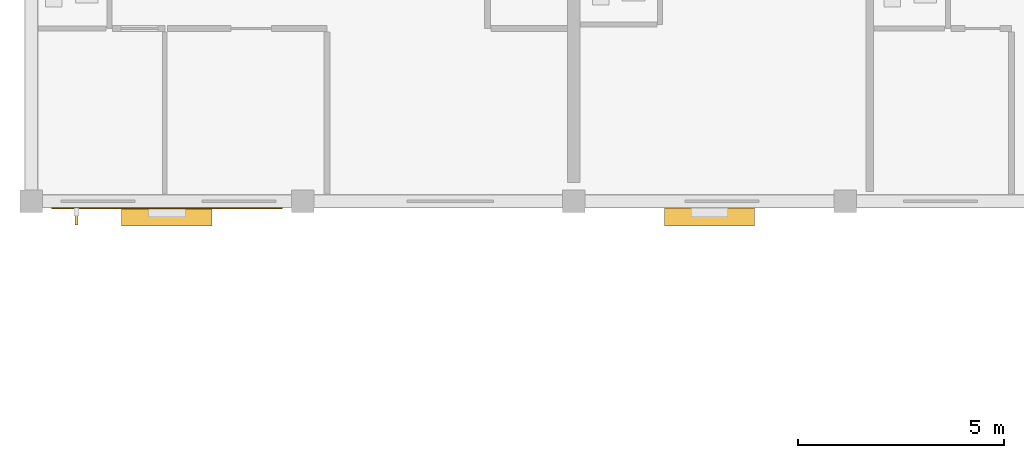
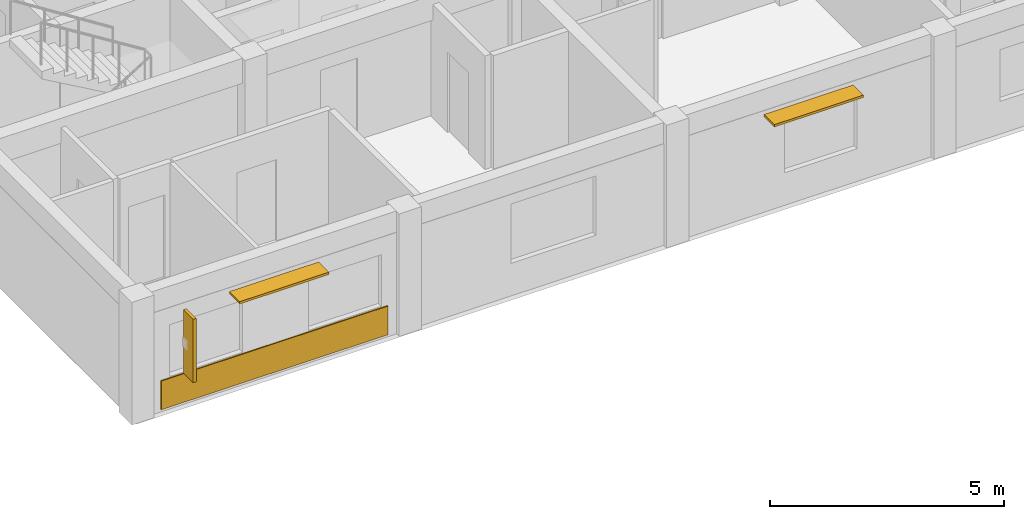
# One storey, part 48 of 53: 3 shading devices, 1 covering.
"""IFC4 building model written with IfcOpenShell, lengths in metres."""

from ifc_helpers import new_model, si_unit, direction, frame, origin, origin_2d, place, context, subcontext, project, spatial, rectangle, extrude, material, layer, layer_set, type_object, element, save


model = new_model("IFC4")

# Units and contexts
model_context = context("Model", 3, precision=1e-05, world=origin(), true_north=direction((0.0, 1.0)))
body_context = subcontext(model_context, "Body", "Model", "MODEL_VIEW")
ifc_project = project(units=[si_unit("LENGTHUNIT", "METRE"), si_unit("AREAUNIT", "SQUARE_METRE"), si_unit("VOLUMEUNIT", "CUBIC_METRE"), si_unit("PLANEANGLEUNIT", "RADIAN"), si_unit("MASSUNIT", "GRAM", prefix="KILO")], contexts=[model_context])

# Site, building, storey
site_placement = place(None, origin())
site = spatial("IfcSite", under=ifc_project, at=site_placement, CompositionType="ELEMENT")
building_placement = place(site_placement, origin())
building = spatial("IfcBuilding", under=site, at=building_placement, Name="Kernevlak Ridge Housing Community", CompositionType="ELEMENT")
storey_placement = place(building_placement, frame((0.0, 0.0, 18.0)))
storey = spatial("IfcBuildingStorey", under=building, at=storey_placement, Name="L05", CompositionType="ELEMENT", Elevation=18.0)

# Covering
ifc_material_1 = material(Name="Aluminium EN AW-5005 enamelled cladding", Category="aluminium")
ifc_layer_1 = layer(ifc_material_1, 0.030029296875, Name="Aluminium EN AW-5005 enamelled cladding")
ifc_layer_set_1 = layer_set([ifc_layer_1], Name="Aluminium EN AW-5005 enamelled cladding")
covering_type = type_object("IfcCoveringType", Name="CV-04", PredefinedType="CLADDING", material=ifc_layer_set_1)
covering_placement = place(storey_placement, frame((18.89990234375, 75.824951171875, 0.074951171875), z_axis=(0.0, 0.0, 1.0), x_axis=(1.0, 0.0, 0.0)))
element("IfcCovering", 1, at=covering_placement, inside=storey, type_object=covering_type, Name="Block A L05 De Stijl blue spandrel cladding", PredefinedType="CLADDING", context=body_context, shape_type="SweptSolid", body=[
    extrude(rectangle(XDim=5.60009765625, YDim=0.030029296875, at=origin_2d()), origin(), (0.0, 0.0, 1.0), 0.75),
])

# Shading devices
ifc_material_2 = material(Name="Aluminium EN AW-6060 anodised", Category="aluminium")
ifc_layer_2 = layer(ifc_material_2, 0.06005859375, Name="Aluminium EN AW-6060 anodised")
ifc_layer_set_2 = layer_set([ifc_layer_2], Name="Aluminium EN AW-6060 anodised")
shading_device_type_1 = type_object("IfcShadingDeviceType", Name="LV-01", PredefinedType="JALOUSIE", material=ifc_layer_set_2)
for number, where, z_axis, x_axis, name in (
    (2, (18.89990234375, 75.6201171875, 2.489990234375), (0.0, 0.0, 1.0), (1.0, 0.0, 0.0), "Horizontal solar louvre 3"),
    (3, (32.10009765625, 75.6201171875, 2.489990234375), (0.0, 0.0, 1.0), (1.0, 0.0, 0.0), "Horizontal solar louvre 4"),
):
    element("IfcShadingDevice", number, at=place(storey_placement, frame(where, z_axis=z_axis, x_axis=x_axis)), inside=storey, type_object=shading_device_type_1, Name=name, PredefinedType="JALOUSIE", context=body_context, shape_type="SweptSolid", body=[
        extrude(rectangle(XDim=2.199951171875, YDim=0.43994140625, at=origin_2d()), origin(), (0.0, 0.0, 1.0), 0.06005859375),
    ])
ifc_material_3 = material(Name="Aluminium EN AW-6060 enamelled", Category="aluminium")
shading_device_type_2 = type_object("IfcShadingDeviceType", Name="LV-02", PredefinedType="USERDEFINED", material=ifc_material_3)
shading_device_placement = place(storey_placement, frame((16.699951171875, 75.6298828125, 0.824951171875), z_axis=(0.0, 0.0, 1.0), x_axis=(1.0, 0.0, 0.0)))
element("IfcShadingDevice", 4, at=shading_device_placement, inside=storey, type_object=shading_device_type_2, Name="De Stijl yellow vertical solar fin 3", ObjectType="LOUVRE", PredefinedType="USERDEFINED", context=body_context, shape_type="SweptSolid", body=[
    extrude(rectangle(XDim=0.080078125, YDim=0.419921875, at=origin_2d()), origin(), (0.0, 0.0, 1.0), 1.64990234375),
])

save(model, "model.ifc")
